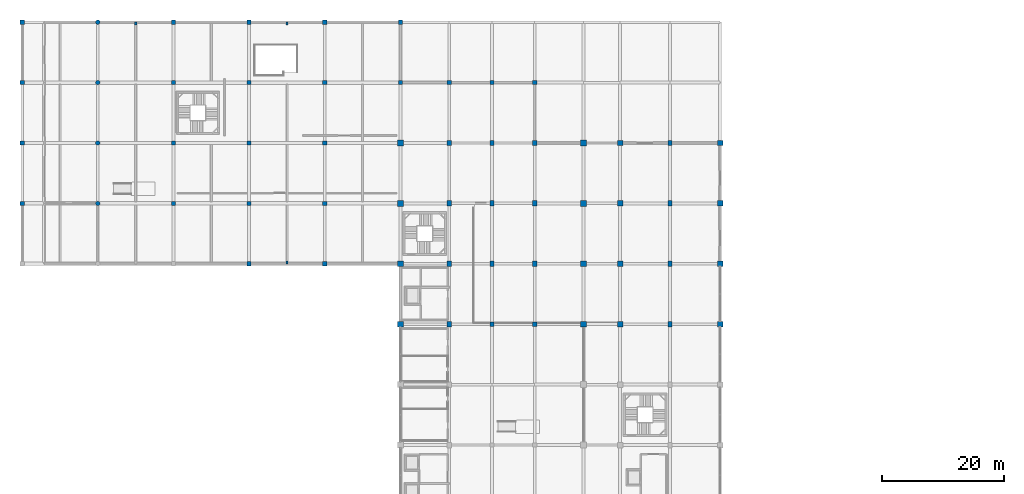
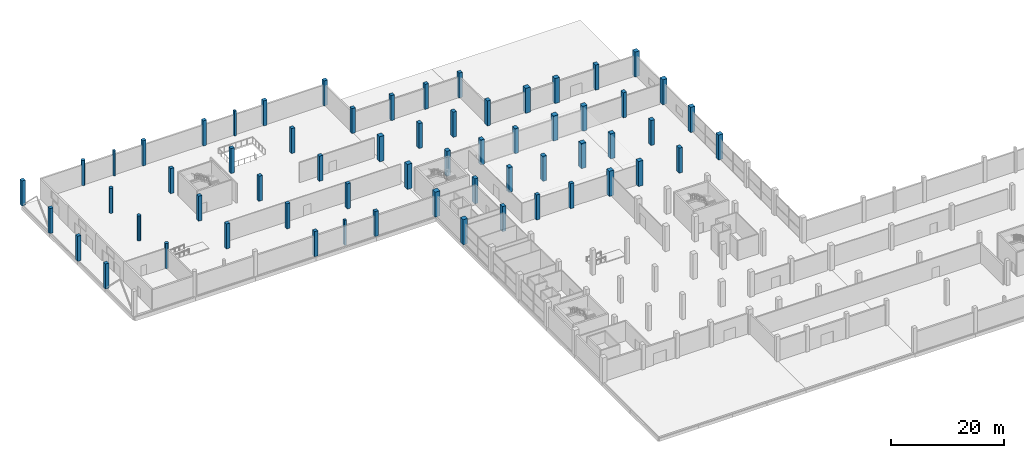
# One storey, part 2 of 50: 62 columns.
"""IFC4 building model written with IfcOpenShell, lengths in metres."""

from ifc_helpers import new_model, si_unit, direction, frame, origin, origin_2d, place, context, subcontext, project, spatial, rectangle, circle, extrude, material, material_profile, profile_set, type_object, element, save


model = new_model("IFC4")

# Units and contexts
model_context = context("Model", 3, precision=1e-05, world=origin(), true_north=direction((0.0, 1.0)))
body_context = subcontext(model_context, "Body", "Model", "MODEL_VIEW")
ifc_project = project(units=[si_unit("LENGTHUNIT", "METRE"), si_unit("AREAUNIT", "SQUARE_METRE"), si_unit("VOLUMEUNIT", "CUBIC_METRE"), si_unit("PLANEANGLEUNIT", "RADIAN"), si_unit("MASSUNIT", "GRAM", prefix="KILO")], contexts=[model_context])

# Site, building, storey
site_placement = place(None, origin())
site = spatial("IfcSite", under=ifc_project, at=site_placement, CompositionType="ELEMENT")
building_placement = place(site_placement, origin())
building = spatial("IfcBuilding", under=site, at=building_placement, Name="Sillaruma Civic Art Gallery", CompositionType="ELEMENT")
storey_placement = place(building_placement, origin())
storey = spatial("IfcBuildingStorey", under=building, at=storey_placement, Name="L00", CompositionType="ELEMENT", Elevation=0.0)

# Columns
ifc_material = material(Name="Concrete H40 (40 MPa)", Category="concrete")
ifc_material_profile_1 = material_profile(ifc_material, rectangle(XDim=0.699951171875, YDim=0.699951171875, at=origin_2d()), Name="RC700x700")
ifc_profile_set_1 = profile_set([ifc_material_profile_1], Name="Concrete H40 (40 MPa)")
column_type_1 = type_object("IfcColumnType", Name="COL-COLUMN-RC700x700", PredefinedType="COLUMN", material=ifc_profile_set_1)
for number, where, z_axis, x_axis, name in (
    (1, (0.0, 89.10009765625, 0.0), (0.0, 0.0, 1.0), (1.0, 0.0, 0.0), "Column C-06 (L00:A10)"),
    (2, (0.0, 99.0, 0.0), (0.0, 0.0, 1.0), (1.0, 0.0, 0.0), "Column C-06 (L00:A11)"),
    (3, (0.0, 108.89990234375, 0.0), (0.0, 0.0, 1.0), (1.0, 0.0, 0.0), "Column C-06 (L00:A12)"),
    (4, (0.0, 118.800048828125, 0.0), (0.0, 0.0, 1.0), (1.0, 0.0, 0.0), "Column C-06 (L00:A13)"),
    (5, (24.800048828125, 89.10009765625, 0.0), (0.0, 0.0, 1.0), (1.0, 0.0, 0.0), "Column C-06 (L00:C10)"),
    (6, (24.800048828125, 99.0, 0.0), (0.0, 0.0, 1.0), (1.0, 0.0, 0.0), "Column C-06 (L00:C11)"),
    (7, (24.800048828125, 108.89990234375, 0.0), (0.0, 0.0, 1.0), (1.0, 0.0, 0.0), "Column C-06 (L00:C12)"),
    (8, (24.800048828125, 118.800048828125, 0.0), (0.0, 0.0, 1.0), (1.0, 0.0, 0.0), "Column C-06 (L00:C13)"),
    (9, (37.199951171875, 79.199951171875, 0.0), (0.0, 0.0, 1.0), (1.0, 0.0, 0.0), "Column C-06 (L00:D9)"),
    (10, (37.199951171875, 89.10009765625, 0.0), (0.0, 0.0, 1.0), (1.0, 0.0, 0.0), "Column C-06 (L00:D10)"),
    (11, (37.199951171875, 99.0, 0.0), (0.0, 0.0, 1.0), (1.0, 0.0, 0.0), "Column C-06 (L00:D11)"),
    (12, (37.199951171875, 108.89990234375, 0.0), (0.0, 0.0, 1.0), (1.0, 0.0, 0.0), "Column C-06 (L00:D12)"),
    (13, (37.199951171875, 118.800048828125, 0.0), (0.0, 0.0, 1.0), (1.0, 0.0, 0.0), "Column C-06 (L00:D13)"),
    (14, (49.60009765625, 79.199951171875, 0.0), (0.0, 0.0, 1.0), (1.0, 0.0, 0.0), "Column C-06 (L00:E9)"),
    (15, (49.60009765625, 89.10009765625, 0.0), (0.0, 0.0, 1.0), (1.0, 0.0, 0.0), "Column C-06 (L00:E10)"),
    (16, (49.60009765625, 99.0, 0.0), (0.0, 0.0, 1.0), (1.0, 0.0, 0.0), "Column C-06 (L00:E11)"),
    (17, (49.60009765625, 108.89990234375, 0.0), (0.0, 0.0, 1.0), (1.0, 0.0, 0.0), "Column C-06 (L00:E12)"),
    (18, (49.60009765625, 118.800048828125, 0.0), (0.0, 0.0, 1.0), (1.0, 0.0, 0.0), "Column C-06 (L00:E13)"),
    (19, (62.0, 108.89990234375, 0.0), (0.0, 0.0, 1.0), (1.0, 0.0, 0.0), "Column C-06 (L00:F12)"),
    (20, (62.0, 118.800048828125, 0.0), (0.0, 0.0, 1.0), (1.0, 0.0, 0.0), "Column C-06 (L00:F13)"),
    (21, (70.0, 108.89990234375, 0.0), (0.0, 0.0, 1.0), (1.0, 0.0, 0.0), "Column C-06 (L00:G12)"),
    (22, (77.0, 69.300048828125, 0.0), (0.0, 0.0, 1.0), (1.0, 0.0, 0.0), "Column C-06 (L00:H8)"),
    (23, (77.0, 108.89990234375, 0.0), (0.0, 0.0, 1.0), (1.0, 0.0, 0.0), "Column C-06 (L00:H12)"),
    (24, (84.0, 69.300048828125, 0.0), (0.0, 0.0, 1.0), (1.0, 0.0, 0.0), "Column C-06 (L00:J8)"),
    (25, (84.0, 108.89990234375, 0.0), (0.0, 0.0, 1.0), (1.0, 0.0, 0.0), "Column C-06 (L00:J12)"),
):
    element("IfcColumn", number, at=place(storey_placement, frame(where, z_axis=z_axis, x_axis=x_axis)), inside=storey, type_object=column_type_1, Name=name, PredefinedType="COLUMN", context=body_context, shape_type="SweptSolid", body=[
        extrude(rectangle(XDim=0.699951171875, YDim=0.699951171875, at=origin_2d()), origin(), (0.0, 0.0, 1.0), 5.43994140625),
    ])
ifc_material_profile_2 = material_profile(ifc_material, rectangle(XDim=0.699951171875, YDim=0.89990234375, at=origin_2d()), Name="RC900x700")
ifc_profile_set_2 = profile_set([ifc_material_profile_2], Name="Concrete H40 (40 MPa)")
column_type_2 = type_object("IfcColumnType", Name="COL-COLUMN-RC900x700", PredefinedType="COLUMN", material=ifc_profile_set_2)
for number, where, z_axis, x_axis, name in (
    (26, (70.0, 69.300048828125, 0.0), (0.0, 0.0, 1.0), (1.0, 0.0, 0.0), "Column C-09 (L00:G8)"),
    (27, (70.0, 79.199951171875, 0.0), (0.0, 0.0, 1.0), (1.0, 0.0, 0.0), "Column C-09 (L00:G9)"),
    (28, (70.0, 89.10009765625, 0.0), (0.0, 0.0, 1.0), (1.0, 0.0, 0.0), "Column C-09 (L00:G10)"),
    (29, (70.0, 99.0, 0.0), (0.0, 0.0, 1.0), (1.0, 0.0, 0.0), "Column C-09 (L00:G11)"),
    (30, (77.0, 79.199951171875, 0.0), (0.0, 0.0, 1.0), (1.0, 0.0, 0.0), "Column C-09 (L00:H9)"),
    (31, (77.0, 89.10009765625, 0.0), (0.0, 0.0, 1.0), (1.0, 0.0, 0.0), "Column C-09 (L00:H10)"),
    (32, (77.0, 99.0, 0.0), (0.0, 0.0, 1.0), (1.0, 0.0, 0.0), "Column C-09 (L00:H11)"),
    (33, (84.0, 79.199951171875, 0.0), (0.0, 0.0, 1.0), (1.0, 0.0, 0.0), "Column C-09 (L00:J9)"),
    (34, (84.0, 89.10009765625, 0.0), (0.0, 0.0, 1.0), (1.0, 0.0, 0.0), "Column C-09 (L00:J10)"),
    (35, (84.0, 99.0, 0.0), (0.0, 0.0, 1.0), (1.0, 0.0, 0.0), "Column C-09 (L00:J11)"),
    (36, (106.199951171875, 69.300048828125, 0.0), (0.0, 0.0, 1.0), (1.0, 0.0, 0.0), "Column C-09 (L00:M8)"),
    (37, (106.199951171875, 79.199951171875, 0.0), (0.0, 0.0, 1.0), (1.0, 0.0, 0.0), "Column C-09 (L00:M9)"),
    (38, (106.199951171875, 89.10009765625, 0.0), (0.0, 0.0, 1.0), (1.0, 0.0, 0.0), "Column C-09 (L00:M10)"),
    (39, (106.199951171875, 99.0, 0.0), (0.0, 0.0, 1.0), (1.0, 0.0, 0.0), "Column C-09 (L00:M11)"),
):
    element("IfcColumn", number, at=place(storey_placement, frame(where, z_axis=z_axis, x_axis=x_axis)), inside=storey, type_object=column_type_2, Name=name, PredefinedType="COLUMN", context=body_context, shape_type="SweptSolid", body=[
        extrude(rectangle(XDim=0.699951171875, YDim=0.89990234375, at=origin_2d()), origin(), (0.0, 0.0, 1.0), 5.43994140625),
    ])
ifc_material_profile_3 = material_profile(ifc_material, rectangle(XDim=0.89990234375, YDim=0.89990234375, at=origin_2d()), Name="RC900x900")
ifc_profile_set_3 = profile_set([ifc_material_profile_3], Name="Concrete H40 (40 MPa)")
column_type_3 = type_object("IfcColumnType", Name="COL-COLUMN-RC900x900", PredefinedType="COLUMN", material=ifc_profile_set_3)
for number, where, z_axis, x_axis, name in (
    (40, (98.0, 69.300048828125, 0.0), (0.0, 0.0, 1.0), (1.0, 0.0, 0.0), "Column C-02 (L00:L8)"),
    (41, (98.0, 79.199951171875, 0.0), (0.0, 0.0, 1.0), (1.0, 0.0, 0.0), "Column C-02 (L00:L9)"),
    (42, (98.0, 89.10009765625, 0.0), (0.0, 0.0, 1.0), (1.0, 0.0, 0.0), "Column C-02 (L00:L10)"),
    (43, (98.0, 99.0, 0.0), (0.0, 0.0, 1.0), (1.0, 0.0, 0.0), "Column C-02 (L00:L11)"),
    (44, (114.39990234375, 69.300048828125, 0.0), (0.0, 0.0, 1.0), (1.0, 0.0, 0.0), "Column C-02 (L00:N8)"),
    (45, (114.39990234375, 79.199951171875, 0.0), (0.0, 0.0, 1.0), (1.0, 0.0, 0.0), "Column C-02 (L00:N9)"),
    (46, (114.39990234375, 89.10009765625, 0.0), (0.0, 0.0, 1.0), (1.0, 0.0, 0.0), "Column C-02 (L00:N10)"),
    (47, (114.39990234375, 99.0, 0.0), (0.0, 0.0, 1.0), (1.0, 0.0, 0.0), "Column C-02 (L00:N11)"),
):
    element("IfcColumn", number, at=place(storey_placement, frame(where, z_axis=z_axis, x_axis=x_axis)), inside=storey, type_object=column_type_3, Name=name, PredefinedType="COLUMN", context=body_context, shape_type="SweptSolid", body=[
        extrude(rectangle(XDim=0.89990234375, YDim=0.89990234375, at=origin_2d()), origin(), (0.0, 0.0, 1.0), 5.43994140625),
    ])
ifc_material_profile_4 = material_profile(ifc_material, rectangle(XDim=0.949951171875, YDim=0.949951171875, at=origin_2d()), Name="RC950x950")
ifc_profile_set_4 = profile_set([ifc_material_profile_4], Name="Concrete H40 (40 MPa)")
column_type_4 = type_object("IfcColumnType", Name="COL-COLUMN-RC950x950", PredefinedType="COLUMN", material=ifc_profile_set_4)
for number, where, z_axis, x_axis, name in (
    (48, (62.0, 69.300048828125, 0.0), (0.0, 0.0, 1.0), (1.0, 0.0, 0.0), "Column C-01 (L00:F8)"),
    (49, (62.0, 79.199951171875, 0.0), (0.0, 0.0, 1.0), (1.0, 0.0, 0.0), "Column C-01 (L00:F9)"),
    (50, (62.0, 89.10009765625, 0.0), (0.0, 0.0, 1.0), (1.0, 0.0, 0.0), "Column C-01 (L00:F10)"),
    (51, (62.0, 99.0, 0.0), (0.0, 0.0, 1.0), (1.0, 0.0, 0.0), "Column C-01 (L00:F11)"),
    (52, (92.0, 69.300048828125, 0.0), (0.0, 0.0, 1.0), (1.0, 0.0, 0.0), "Column C-01 (L00:K8)"),
    (53, (92.0, 79.199951171875, 0.0), (0.0, 0.0, 1.0), (1.0, 0.0, 0.0), "Column C-01 (L00:K9)"),
    (54, (92.0, 89.10009765625, 0.0), (0.0, 0.0, 1.0), (1.0, 0.0, 0.0), "Column C-01 (L00:K10)"),
    (55, (92.0, 99.0, 0.0), (0.0, 0.0, 1.0), (1.0, 0.0, 0.0), "Column C-01 (L00:K11)"),
):
    element("IfcColumn", number, at=place(storey_placement, frame(where, z_axis=z_axis, x_axis=x_axis)), inside=storey, type_object=column_type_4, Name=name, PredefinedType="COLUMN", context=body_context, shape_type="SweptSolid", body=[
        extrude(rectangle(XDim=0.949951171875, YDim=0.949951171875, at=origin_2d()), origin(), (0.0, 0.0, 1.0), 5.43994140625),
    ])
ifc_material_profile_5 = material_profile(ifc_material, circle(Radius=0.360107421875, at=origin_2d()), Name="RCC720")
ifc_profile_set_5 = profile_set([ifc_material_profile_5], Name="Concrete H40 (40 MPa)")
column_type_5 = type_object("IfcColumnType", Name="COL-COLUMN-RCC720", PredefinedType="COLUMN", material=ifc_profile_set_5)
for number, where, z_axis, x_axis, name in (
    (56, (12.39990234375, 89.10009765625, 0.0), (0.0, 0.0, 1.0), (1.0, 0.0, 0.0), "Column CC-02 (L00:B10)"),
    (57, (12.39990234375, 99.0, 0.0), (0.0, 0.0, 1.0), (1.0, 0.0, 0.0), "Column CC-02 (L00:B11)"),
    (58, (12.39990234375, 108.89990234375, 0.0), (0.0, 0.0, 1.0), (1.0, 0.0, 0.0), "Column CC-02 (L00:B12)"),
    (59, (12.39990234375, 118.800048828125, 0.0), (0.0, 0.0, 1.0), (1.0, 0.0, 0.0), "Column CC-02 (L00:B13)"),
):
    element("IfcColumn", number, at=place(storey_placement, frame(where, z_axis=z_axis, x_axis=x_axis)), inside=storey, type_object=column_type_5, Name=name, PredefinedType="COLUMN", context=body_context, shape_type="SweptSolid", body=[
        extrude(circle(Radius=0.360107421875, at=origin_2d()), origin(), (0.0, 0.0, 1.0), 5.43994140625),
    ])
ifc_material_profile_6 = material_profile(ifc_material, rectangle(XDim=0.3798828125, YDim=0.5, at=origin_2d()), Name="RC500x380")
ifc_profile_set_6 = profile_set([ifc_material_profile_6], Name="Concrete H40 (40 MPa)")
column_type_6 = type_object("IfcColumnType", Name="COL-PILASTER-RC500x380", PredefinedType="PILASTER", material=ifc_profile_set_6)
for number, where, z_axis, x_axis, name in (
    (60, (43.39990234375, 79.449951171875, 0.0), (0.0, 0.0, 1.0), (1.0, 0.0, 0.0), "Pilaster CP-01 (L00:PIL-W2)"),
    (61, (18.60009765625, 118.550048828125, 0.0), (0.0, 0.0, 1.0), (1.0, 0.0, 0.0), "Pilaster CP-01 (L00:PIL-W3)"),
    (62, (43.39990234375, 118.550048828125, 0.0), (0.0, 0.0, 1.0), (1.0, 0.0, 0.0), "Pilaster CP-01 (L00:PIL-W4)"),
):
    element("IfcColumn", number, at=place(storey_placement, frame(where, z_axis=z_axis, x_axis=x_axis)), inside=storey, type_object=column_type_6, Name=name, PredefinedType="PILASTER", context=body_context, shape_type="SweptSolid", body=[
        extrude(rectangle(XDim=0.3798828125, YDim=0.5, at=origin_2d()), origin(), (0.0, 0.0, 1.0), 5.43994140625),
    ])

save(model, "model.ifc")
